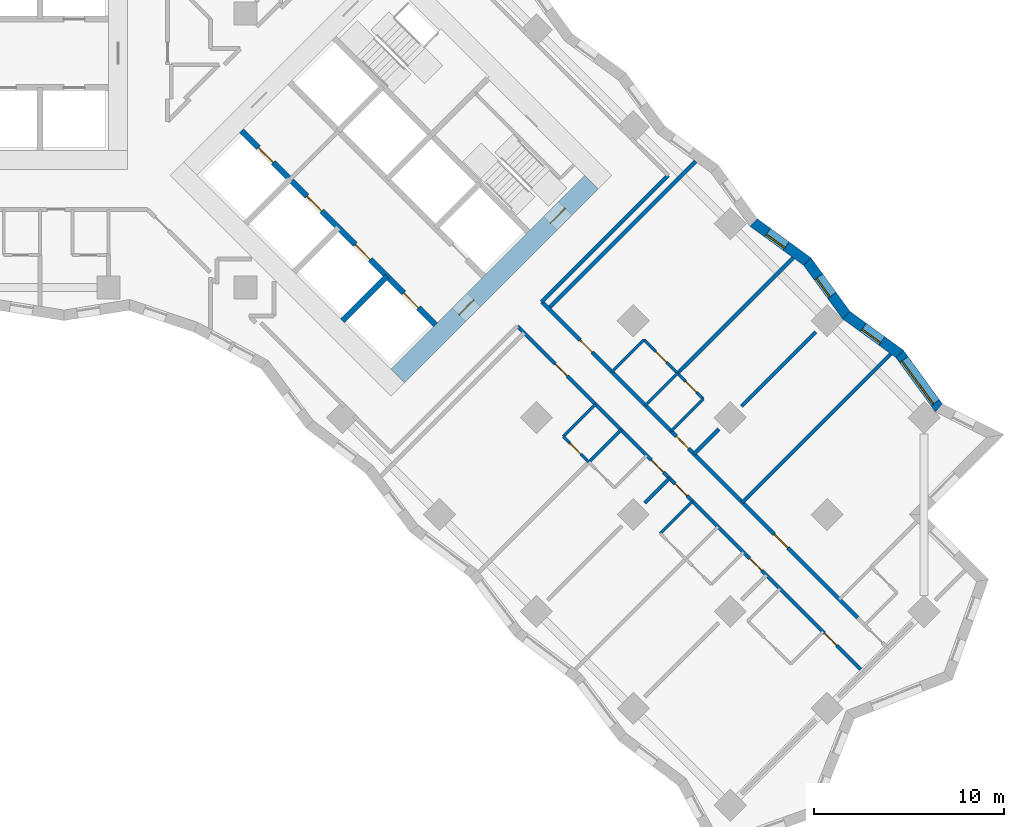
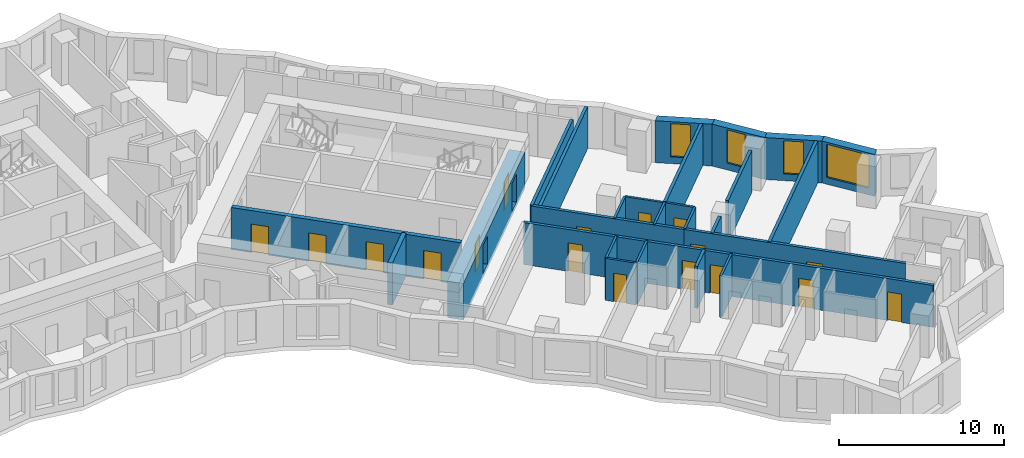
# One storey, part 8 of 12: 25 walls, 17 doors, 4 windows, 21 openings.
"""IFC4 building model written with IfcOpenShell, lengths in metres."""

from ifc_helpers import new_model, si_unit, direction, frame, frame_2d, origin, place, context, subcontext, project, spatial, polyline, rectangle, outline, extrude, material, layer, layer_set, type_object, element, fill, save


model = new_model("IFC4")

# Units and contexts
model_context = context("Model", 3, precision=1e-05, world=origin(), true_north=direction((0.0, 1.0)))
body_context = subcontext(model_context, "Body", "Model", "MODEL_VIEW")
ifc_project = project(units=[si_unit("LENGTHUNIT", "METRE"), si_unit("AREAUNIT", "SQUARE_METRE"), si_unit("VOLUMEUNIT", "CUBIC_METRE"), si_unit("PLANEANGLEUNIT", "RADIAN"), si_unit("MASSUNIT", "GRAM", prefix="KILO")], contexts=[model_context])

# Site, building, storey
site_placement = place(None, origin())
site = spatial("IfcSite", under=ifc_project, at=site_placement, CompositionType="ELEMENT")
building_placement = place(site_placement, origin())
building = spatial("IfcBuilding", under=site, at=building_placement, Name="Windrow Commons", CompositionType="ELEMENT")
storey_placement = place(building_placement, frame((0.0, 0.0, 54.2)))
storey = spatial("IfcBuildingStorey", under=building, at=storey_placement, Name="L14", CompositionType="ELEMENT", Elevation=54.2)

# Wall, opening, window
ifc_material_1 = material(Name="Brick masonry, red clay brick", Category="masonry")
ifc_layer_1 = layer(ifc_material_1, 0.55)
ifc_layer_set_1 = layer_set([ifc_layer_1], Name="Brick facade wall 550")
wall_type_1 = type_object("IfcWallType", Name="Brick facade wall 550", PredefinedType="SOLIDWALL", material=ifc_layer_set_1)
wall_1_placement = place(storey_placement, frame((115.6199, 36.8783, 0.0), z_axis=(0.0, 0.0, 1.0), x_axis=(-0.5882752751, 0.8086607451, 0.0)))
wall_1 = element("IfcWall", 1, at=wall_1_placement, inside=storey, type_object=wall_type_1, Name="Brick facade wall L14 8", PredefinedType="SOLIDWALL", context=body_context, shape_type="SweptSolid", body=[
    extrude(outline(polyline([(0.0669, -0.275), (3.545, -0.275), (3.4583, 0.275), (-0.0669, 0.275), (0.0669, -0.275)])), origin(), (0.0, 0.0, 1.0), 3.1),
])
opening_1_placement = place(wall_1_placement, frame((0.3291, 0.0, 0.5)))
opening_1 = element("IfcOpeningElement", 2, at=opening_1_placement, cuts=wall_1, Name="Opening W1T", PredefinedType="OPENING", context=body_context, shape_type="SweptSolid", body=[
    extrude(rectangle(XDim=2.8, YDim=2.45, at=frame_2d((1.4, 1.225))), frame((0.0, 0.285, 0.0), z_axis=(0.0, -1.0, 0.0), x_axis=(1.0, 0.0, 0.0)), (0.0, 0.0, 1.0), 0.57),
])
ifc_material_2 = material(Name="Clear float glass in anodised aluminium frame", Category="aluminium")
window_type_1 = type_object("IfcWindowType", Name="Window W1T bedroom 2800x2450", PartitioningType="SINGLE_PANEL", PredefinedType="WINDOW", material=ifc_material_2)
window_1_placement = place(opening_1_placement, origin())
window_1 = element("IfcWindow", 3, at=window_1_placement, inside=storey, type_object=window_type_1, Name="Window L14 8.1", OverallHeight=2.45, OverallWidth=2.8, PartitioningType="SINGLE_PANEL", PredefinedType="WINDOW", context=body_context, shape_type="SweptSolid", body=[
    extrude(rectangle(XDim=2.8, YDim=2.45, at=frame_2d((1.4, 1.225))), frame((0.0, 0.155, 0.0), z_axis=(0.0, -1.0, 0.0), x_axis=(1.0, 0.0, 0.0)), (0.0, 0.0, 1.0), 0.06),
])
fill(opening_1, window_1)

wall_2_placement = place(storey_placement, frame((113.56, 39.7099, 0.0), z_axis=(0.0, 0.0, 1.0), x_axis=(-0.8086577494, 0.5882793931, 0.0)))
wall_2 = element("IfcWall", 4, at=wall_2_placement, inside=storey, type_object=wall_type_1, Name="Brick facade wall L14 9", PredefinedType="SOLIDWALL", context=body_context, shape_type="SweptSolid", body=[
    extrude(outline(polyline([(-0.0434, -0.275), (3.4347, -0.275), (3.5215, 0.275), (0.0434, 0.275), (-0.0434, -0.275)])), origin(), (0.0, 0.0, 1.0), 3.1),
])
opening_2_placement = place(wall_2_placement, frame((1.1607, 0.0, 0.5)))
opening_2 = element("IfcOpeningElement", 5, at=opening_2_placement, cuts=wall_2, Name="Opening W7D", PredefinedType="OPENING", context=body_context, shape_type="SweptSolid", body=[
    extrude(rectangle(XDim=1.2, YDim=2.45, at=frame_2d((0.6, 1.225))), frame((0.0, 0.285, 0.0), z_axis=(0.0, -1.0, 0.0), x_axis=(1.0, 0.0, 0.0)), (0.0, 0.0, 1.0), 0.57),
])
ifc_material_3 = material(Name="Clear float glass in anodised aluminium frame", Category="aluminium")
window_type_2 = type_object("IfcWindowType", Name="Window W7 notch 1200x2450", PartitioningType="SINGLE_PANEL", PredefinedType="WINDOW", material=ifc_material_3)
window_2_placement = place(opening_2_placement, origin())
window_2 = element("IfcWindow", 6, at=window_2_placement, inside=storey, type_object=window_type_2, Name="Window L14 9.1", OverallHeight=2.45, OverallWidth=1.2, PartitioningType="SINGLE_PANEL", PredefinedType="WINDOW", context=body_context, shape_type="SweptSolid", body=[
    extrude(rectangle(XDim=1.2, YDim=2.45, at=frame_2d((0.6, 1.225))), frame((0.0, 0.155, 0.0), z_axis=(0.0, -1.0, 0.0), x_axis=(1.0, 0.0, 0.0)), (0.0, 0.0, 1.0), 0.06),
])
fill(opening_2, window_2)

wall_3_placement = place(storey_placement, frame((110.7474, 41.756, 0.0), z_axis=(0.0, 0.0, 1.0), x_axis=(-0.5882793931, 0.8086577494, 0.0)))
wall_3 = element("IfcWall", 7, at=wall_3_placement, inside=storey, type_object=wall_type_1, Name="Brick facade wall L14 10", PredefinedType="SOLIDWALL", context=body_context, shape_type="SweptSolid", body=[
    extrude(outline(polyline([(0.0434, -0.275), (3.5215, -0.275), (3.4347, 0.275), (-0.0434, 0.275), (0.0434, -0.275)])), origin(), (0.0, 0.0, 1.0), 3.1),
])
opening_3_placement = place(wall_3_placement, frame((1.267, 0.0, 0.5)))
opening_3 = element("IfcOpeningElement", 8, at=opening_3_placement, cuts=wall_3, Name="Opening W7D", PredefinedType="OPENING", context=body_context, shape_type="SweptSolid", body=[
    extrude(rectangle(XDim=1.2, YDim=2.45, at=frame_2d((0.6, 1.225))), frame((0.0, 0.285, 0.0), z_axis=(0.0, -1.0, 0.0), x_axis=(1.0, 0.0, 0.0)), (0.0, 0.0, 1.0), 0.57),
])
window_3_placement = place(opening_3_placement, origin())
window_3 = element("IfcWindow", 9, at=window_3_placement, inside=storey, type_object=window_type_2, Name="Window L14 10.1", OverallHeight=2.45, OverallWidth=1.2, PartitioningType="SINGLE_PANEL", PredefinedType="WINDOW", context=body_context, shape_type="SweptSolid", body=[
    extrude(rectangle(XDim=1.2, YDim=2.45, at=frame_2d((0.6, 1.225))), frame((0.0, 0.155, 0.0), z_axis=(0.0, -1.0, 0.0), x_axis=(1.0, 0.0, 0.0)), (0.0, 0.0, 1.0), 0.06),
])
fill(opening_3, window_3)

wall_4_placement = place(storey_placement, frame((108.7013, 44.5686, 0.0), z_axis=(0.0, 0.0, 1.0), x_axis=(-0.8086577494, 0.5882793931, 0.0)))
wall_4 = element("IfcWall", 10, at=wall_4_placement, inside=storey, type_object=wall_type_1, Name="Brick facade wall L14 11", PredefinedType="SOLIDWALL", context=body_context, shape_type="SweptSolid", body=[
    extrude(outline(polyline([(-0.0434, -0.275), (3.4347, -0.275), (3.5215, 0.275), (0.0434, 0.275), (-0.0434, -0.275)])), origin(), (0.0, 0.0, 1.0), 3.1),
])
opening_4_placement = place(wall_4_placement, frame((1.3719, 0.0, 0.5)))
opening_4 = element("IfcOpeningElement", 11, at=opening_4_placement, cuts=wall_4, Name="Opening W7D", PredefinedType="OPENING", context=body_context, shape_type="SweptSolid", body=[
    extrude(rectangle(XDim=1.2, YDim=2.45, at=frame_2d((0.6, 1.225))), frame((0.0, 0.285, 0.0), z_axis=(0.0, -1.0, 0.0), x_axis=(1.0, 0.0, 0.0)), (0.0, 0.0, 1.0), 0.57),
])
window_4_placement = place(opening_4_placement, origin())
window_4 = element("IfcWindow", 12, at=window_4_placement, inside=storey, type_object=window_type_2, Name="Window L14 11.1", OverallHeight=2.45, OverallWidth=1.2, PartitioningType="SINGLE_PANEL", PredefinedType="WINDOW", context=body_context, shape_type="SweptSolid", body=[
    extrude(rectangle(XDim=1.2, YDim=2.45, at=frame_2d((0.6, 1.225))), frame((0.0, 0.155, 0.0), z_axis=(0.0, -1.0, 0.0), x_axis=(1.0, 0.0, 0.0)), (0.0, 0.0, 1.0), 0.06),
])
fill(opening_4, window_4)

# Wall, openings, doors
ifc_material_4 = material(Name="Blockwork partition", Category="masonry")
ifc_layer_2 = layer(ifc_material_4, 0.2)
ifc_layer_set_2 = layer_set([ifc_layer_2], Name="IW-CORRIDOR-200")
wall_type_2 = type_object("IfcWallType", Name="IW-CORRIDOR-200", PredefinedType="PARTITIONING", material=ifc_layer_set_2)
wall_5_placement = place(storey_placement, frame((93.4806, 41.1666, 0.0), z_axis=(0.0, 0.0, 1.0), x_axis=(0.7071067812, -0.7071067812, 0.0)))
wall_5 = element("IfcWall", 13, at=wall_5_placement, inside=storey, type_object=wall_type_2, Name="W-L14-W000", PredefinedType="PARTITIONING", context=body_context, shape_type="SweptSolid", body=[
    extrude(rectangle(XDim=25.6991, YDim=0.2, at=frame_2d((12.8496, 0.0))), origin(), (0.0, 0.0, 1.0), 3.1),
])
opening_5_placement = place(wall_5_placement, frame((2.8001, 0.0, 0.0)))
opening_5 = element("IfcOpeningElement", 14, at=opening_5_placement, cuts=wall_5, Name="Opening D109F", PredefinedType="OPENING", context=body_context, shape_type="SweptSolid", body=[
    extrude(rectangle(XDim=0.9, YDim=2.1, at=frame_2d((0.45, 1.05))), frame((0.0, 0.11, 0.0), z_axis=(0.0, -1.0, 0.0), x_axis=(1.0, 0.0, 0.0)), (0.0, 0.0, 1.0), 0.22),
])
opening_6_placement = place(wall_5_placement, frame((9.948, 0.0, 0.0)))
opening_6 = element("IfcOpeningElement", 15, at=opening_6_placement, cuts=wall_5, Name="Opening D109S", PredefinedType="OPENING", context=body_context, shape_type="SweptSolid", body=[
    extrude(rectangle(XDim=0.9, YDim=2.1, at=frame_2d((0.45, 1.05))), frame((0.0, 0.11, 0.0), z_axis=(0.0, -1.0, 0.0), x_axis=(1.0, 0.0, 0.0)), (0.0, 0.0, 1.0), 0.22),
])
opening_7_placement = place(wall_5_placement, frame((11.6996, 0.0, 0.0)))
opening_7 = element("IfcOpeningElement", 16, at=opening_7_placement, cuts=wall_5, Name="Opening D109S", PredefinedType="OPENING", context=body_context, shape_type="SweptSolid", body=[
    extrude(rectangle(XDim=0.9, YDim=2.1, at=frame_2d((0.45, 1.05))), frame((0.0, 0.11, 0.0), z_axis=(0.0, -1.0, 0.0), x_axis=(1.0, 0.0, 0.0)), (0.0, 0.0, 1.0), 0.22),
])
opening_8_placement = place(wall_5_placement, frame((17.2496, 0.0, 0.0)))
opening_8 = element("IfcOpeningElement", 17, at=opening_8_placement, cuts=wall_5, Name="Opening D109S", PredefinedType="OPENING", context=body_context, shape_type="SweptSolid", body=[
    extrude(rectangle(XDim=0.9, YDim=2.1, at=frame_2d((0.45, 1.05))), frame((0.0, 0.11, 0.0), z_axis=(0.0, -1.0, 0.0), x_axis=(1.0, 0.0, 0.0)), (0.0, 0.0, 1.0), 0.22),
])
opening_9_placement = place(wall_5_placement, frame((22.8196, 0.0, 0.0)))
opening_9 = element("IfcOpeningElement", 18, at=opening_9_placement, cuts=wall_5, Name="Opening D109F", PredefinedType="OPENING", context=body_context, shape_type="SweptSolid", body=[
    extrude(rectangle(XDim=0.9, YDim=2.1, at=frame_2d((0.45, 1.05))), frame((0.0, 0.11, 0.0), z_axis=(0.0, -1.0, 0.0), x_axis=(1.0, 0.0, 0.0)), (0.0, 0.0, 1.0), 0.22),
])
ifc_material_5 = material(Name="Timber door leaf", Category="wood")
door_type_1 = type_object("IfcDoorType", Name="DT-BEDROOM-900", OperationType="SINGLE_SWING_LEFT", PredefinedType="DOOR", material=ifc_material_5)
door_1_placement = place(opening_5_placement, origin())
door_1 = element("IfcDoor", 19, at=door_1_placement, inside=storey, type_object=door_type_1, Name="D-L14-D038", OperationType="SINGLE_SWING_LEFT", OverallHeight=2.1, OverallWidth=0.9, PredefinedType="DOOR", context=body_context, shape_type="SweptSolid", body=[
    extrude(rectangle(XDim=0.9, YDim=2.1, at=frame_2d((0.45, 1.05))), frame((0.0, 0.025, 0.0), z_axis=(0.0, -1.0, 0.0), x_axis=(1.0, 0.0, 0.0)), (0.0, 0.0, 1.0), 0.05),
])
fill(opening_5, door_1)
door_2_placement = place(opening_6_placement, origin())
door_2 = element("IfcDoor", 20, at=door_2_placement, inside=storey, type_object=door_type_1, Name="D-L14-D040", OperationType="SINGLE_SWING_LEFT", OverallHeight=2.1, OverallWidth=0.9, PredefinedType="DOOR", context=body_context, shape_type="SweptSolid", body=[
    extrude(rectangle(XDim=0.9, YDim=2.1, at=frame_2d((0.45, 1.05))), frame((0.0, 0.025, 0.0), z_axis=(0.0, -1.0, 0.0), x_axis=(1.0, 0.0, 0.0)), (0.0, 0.0, 1.0), 0.05),
])
fill(opening_6, door_2)
door_3_placement = place(opening_7_placement, origin())
door_3 = element("IfcDoor", 21, at=door_3_placement, inside=storey, type_object=door_type_1, Name="D-L14-D042", OperationType="SINGLE_SWING_RIGHT", OverallHeight=2.1, OverallWidth=0.9, PredefinedType="DOOR", context=body_context, shape_type="SweptSolid", body=[
    extrude(rectangle(XDim=0.9, YDim=2.1, at=frame_2d((0.45, 1.05))), frame((0.0, 0.025, 0.0), z_axis=(0.0, -1.0, 0.0), x_axis=(1.0, 0.0, 0.0)), (0.0, 0.0, 1.0), 0.05),
])
fill(opening_7, door_3)
door_4_placement = place(opening_8_placement, origin())
door_4 = element("IfcDoor", 22, at=door_4_placement, inside=storey, type_object=door_type_1, Name="D-L14-D044", OperationType="SINGLE_SWING_LEFT", OverallHeight=2.1, OverallWidth=0.9, PredefinedType="DOOR", context=body_context, shape_type="SweptSolid", body=[
    extrude(rectangle(XDim=0.9, YDim=2.1, at=frame_2d((0.45, 1.05))), frame((0.0, 0.025, 0.0), z_axis=(0.0, -1.0, 0.0), x_axis=(1.0, 0.0, 0.0)), (0.0, 0.0, 1.0), 0.05),
])
fill(opening_8, door_4)
door_5_placement = place(opening_9_placement, origin())
door_5 = element("IfcDoor", 23, at=door_5_placement, inside=storey, type_object=door_type_1, Name="D-L14-D046", OperationType="SINGLE_SWING_RIGHT", OverallHeight=2.1, OverallWidth=0.9, PredefinedType="DOOR", context=body_context, shape_type="SweptSolid", body=[
    extrude(rectangle(XDim=0.9, YDim=2.1, at=frame_2d((0.45, 1.05))), frame((0.0, 0.025, 0.0), z_axis=(0.0, -1.0, 0.0), x_axis=(1.0, 0.0, 0.0)), (0.0, 0.0, 1.0), 0.05),
])
fill(opening_9, door_5)

wall_6_placement = place(storey_placement, frame((111.3515, 25.8555, 0.0), z_axis=(0.0, 0.0, 1.0), x_axis=(-0.7070418597, 0.7071716967, 0.0)))
wall_6 = element("IfcWall", 24, at=wall_6_placement, inside=storey, type_object=wall_type_2, Name="W-L14-W005", PredefinedType="PARTITIONING", context=body_context, shape_type="SweptSolid", body=[
    extrude(rectangle(XDim=13.8635, YDim=0.2, at=frame_2d((6.9318, 0.0))), origin(), (0.0, 0.0, 1.0), 3.1),
])
opening_10_placement = place(wall_6_placement, frame((12.5636, 0.0, 0.0)))
opening_10 = element("IfcOpeningElement", 25, at=opening_10_placement, cuts=wall_6, Name="Opening D109S", PredefinedType="OPENING", context=body_context, shape_type="SweptSolid", body=[
    extrude(rectangle(XDim=0.9, YDim=2.1, at=frame_2d((0.45, 1.05))), frame((0.0, 0.11, 0.0), z_axis=(0.0, -1.0, 0.0), x_axis=(1.0, 0.0, 0.0)), (0.0, 0.0, 1.0), 0.22),
])
opening_11_placement = place(wall_6_placement, frame((5.1899, 0.0, 0.0)))
opening_11 = element("IfcOpeningElement", 26, at=opening_11_placement, cuts=wall_6, Name="Opening D310F", PredefinedType="OPENING", context=body_context, shape_type="SweptSolid", body=[
    extrude(rectangle(XDim=1.0, YDim=2.1, at=frame_2d((0.5, 1.05))), frame((0.0, 0.11, 0.0), z_axis=(0.0, -1.0, 0.0), x_axis=(1.0, 0.0, 0.0)), (0.0, 0.0, 1.0), 0.22),
])
ifc_material_6 = material(Name="Timber door leaf", Category="wood")
door_type_2 = type_object("IfcDoorType", Name="DT-AMENITY-1000", OperationType="SINGLE_SWING_LEFT", PredefinedType="DOOR", material=ifc_material_6)
door_6_placement = place(opening_11_placement, origin())
door_6 = element("IfcDoor", 27, at=door_6_placement, inside=storey, type_object=door_type_2, Name="D-L14-D037", OperationType="SINGLE_SWING_RIGHT", OverallHeight=2.1, OverallWidth=1.0, PredefinedType="DOOR", context=body_context, shape_type="SweptSolid", body=[
    extrude(rectangle(XDim=1.0, YDim=2.1, at=frame_2d((0.5, 1.05))), frame((0.0, 0.025, 0.0), z_axis=(0.0, -1.0, 0.0), x_axis=(1.0, 0.0, 0.0)), (0.0, 0.0, 1.0), 0.05),
])
fill(opening_11, door_6)
door_7_placement = place(opening_10_placement, origin())
door_7 = element("IfcDoor", 28, at=door_7_placement, inside=storey, type_object=door_type_1, Name="D-L14-D035", OperationType="SINGLE_SWING_RIGHT", OverallHeight=2.1, OverallWidth=0.9, PredefinedType="DOOR", context=body_context, shape_type="SweptSolid", body=[
    extrude(rectangle(XDim=0.9, YDim=2.1, at=frame_2d((0.45, 1.05))), frame((0.0, 0.025, 0.0), z_axis=(0.0, -1.0, 0.0), x_axis=(1.0, 0.0, 0.0)), (0.0, 0.0, 1.0), 0.05),
])
fill(opening_10, door_7)

# Wall, opening, door
wall_7_placement = place(storey_placement, frame((94.7615, 42.4455, 0.0), z_axis=(0.0, 0.0, 1.0), x_axis=(0.7071067812, -0.7071067812, 0.0)))
wall_7 = element("IfcWall", 29, at=wall_7_placement, inside=storey, type_object=wall_type_2, Name="W-L14-W012", PredefinedType="PARTITIONING", context=body_context, shape_type="SweptSolid", body=[
    extrude(rectangle(XDim=9.5969, YDim=0.2, at=frame_2d((4.7984, 0.0))), origin(), (0.0, 0.0, 1.0), 3.1),
])
opening_12_placement = place(wall_7_placement, frame((2.8511, 0.0, 0.0)))
opening_12 = element("IfcOpeningElement", 30, at=opening_12_placement, cuts=wall_7, Name="Opening D109F", PredefinedType="OPENING", context=body_context, shape_type="SweptSolid", body=[
    extrude(rectangle(XDim=0.9, YDim=2.1, at=frame_2d((0.45, 1.05))), frame((0.0, 0.11, 0.0), z_axis=(0.0, -1.0, 0.0), x_axis=(1.0, 0.0, 0.0)), (0.0, 0.0, 1.0), 0.22),
])
door_8_placement = place(opening_12_placement, origin())
door_8 = element("IfcDoor", 31, at=door_8_placement, inside=storey, type_object=door_type_1, Name="D-L14-D033", OperationType="SINGLE_SWING_RIGHT", OverallHeight=2.1, OverallWidth=0.9, PredefinedType="DOOR", context=body_context, shape_type="SweptSolid", body=[
    extrude(rectangle(XDim=0.9, YDim=2.1, at=frame_2d((0.45, 1.05))), frame((0.0, 0.025, 0.0), z_axis=(0.0, -1.0, 0.0), x_axis=(1.0, 0.0, 0.0)), (0.0, 0.0, 1.0), 0.05),
])
fill(opening_12, door_8)

# Wall
wall_8_placement = place(storey_placement, frame((94.7569, 42.4451, 0.0), z_axis=(0.0, 0.0, 1.0), x_axis=(0.7071067812, 0.7071067812, 0.0)))
element("IfcWall", 32, at=wall_8_placement, inside=storey, type_object=wall_type_2, Name="W-L14-W014", PredefinedType="PARTITIONING", context=body_context, shape_type="SweptSolid", body=[
    extrude(rectangle(XDim=9.3989, YDim=0.2, at=frame_2d((4.6994, 0.0))), origin(), (0.0, 0.0, 1.0), 3.1),
])

# Wall, openings, doors
ifc_material_7 = material(Name="Blockwork partition", Category="masonry")
ifc_layer_3 = layer(ifc_material_7, 0.15)
ifc_layer_set_3 = layer_set([ifc_layer_3], Name="IW-ENSUITE-150")
wall_type_3 = type_object("IfcWallType", Name="IW-ENSUITE-150", PredefinedType="PARTITIONING", material=ifc_layer_set_3)
wall_9_placement = place(storey_placement, frame((100.1265, 40.4605, 0.0), z_axis=(0.0, 0.0, 1.0), x_axis=(0.7071067812, -0.7071067812, 0.0)))
wall_9 = element("IfcWall", 33, at=wall_9_placement, inside=storey, type_object=wall_type_3, Name="W-L14-W047", PredefinedType="PARTITIONING", context=body_context, shape_type="SweptSolid", body=[
    extrude(rectangle(XDim=4.401, YDim=0.15, at=frame_2d((2.2005, 0.0))), origin(), (0.0, 0.0, 1.0), 3.1),
])
opening_13_placement = place(wall_9_placement, frame((0.883, 0.0, 0.0)))
opening_13 = element("IfcOpeningElement", 34, at=opening_13_placement, cuts=wall_9, Name="Opening D208N", PredefinedType="OPENING", context=body_context, shape_type="SweptSolid", body=[
    extrude(rectangle(XDim=0.8, YDim=2.1, at=frame_2d((0.4, 1.05))), frame((0.0, 0.085, 0.0), z_axis=(0.0, -1.0, 0.0), x_axis=(1.0, 0.0, 0.0)), (0.0, 0.0, 1.0), 0.17),
])
opening_14_placement = place(wall_9_placement, frame((3.1078, 0.0, 0.0)))
opening_14 = element("IfcOpeningElement", 35, at=opening_14_placement, cuts=wall_9, Name="Opening D208N", PredefinedType="OPENING", context=body_context, shape_type="SweptSolid", body=[
    extrude(rectangle(XDim=0.8, YDim=2.1, at=frame_2d((0.4, 1.05))), frame((0.0, 0.085, 0.0), z_axis=(0.0, -1.0, 0.0), x_axis=(1.0, 0.0, 0.0)), (0.0, 0.0, 1.0), 0.17),
])
ifc_material_8 = material(Name="Timber door leaf", Category="wood")
door_type_3 = type_object("IfcDoorType", Name="DT-ENSUITE-800", OperationType="SINGLE_SWING_LEFT", PredefinedType="DOOR", material=ifc_material_8)
door_9_placement = place(opening_13_placement, origin())
door_9 = element("IfcDoor", 36, at=door_9_placement, inside=storey, type_object=door_type_3, Name="D-L14-D034", OperationType="SINGLE_SWING_RIGHT", OverallHeight=2.1, OverallWidth=0.8, PredefinedType="DOOR", context=body_context, shape_type="SweptSolid", body=[
    extrude(rectangle(XDim=0.8, YDim=2.1, at=frame_2d((0.4, 1.05))), frame((0.0, 0.025, 0.0), z_axis=(0.0, -1.0, 0.0), x_axis=(1.0, 0.0, 0.0)), (0.0, 0.0, 1.0), 0.05),
])
fill(opening_13, door_9)
door_10_placement = place(opening_14_placement, origin())
door_10 = element("IfcDoor", 37, at=door_10_placement, inside=storey, type_object=door_type_3, Name="D-L14-D036", OperationType="SINGLE_SWING_RIGHT", OverallHeight=2.1, OverallWidth=0.8, PredefinedType="DOOR", context=body_context, shape_type="SweptSolid", body=[
    extrude(rectangle(XDim=0.8, YDim=2.1, at=frame_2d((0.4, 1.05))), frame((0.0, 0.025, 0.0), z_axis=(0.0, -1.0, 0.0), x_axis=(1.0, 0.0, 0.0)), (0.0, 0.0, 1.0), 0.05),
])
fill(opening_14, door_10)

# Walls
wall_10_placement = place(storey_placement, frame((100.9773, 30.2807, 0.0), z_axis=(0.0, 0.0, 1.0), x_axis=(0.7071067812, 0.7071067812, 0.0)))
element("IfcWall", 38, at=wall_10_placement, inside=storey, type_object=wall_type_3, Name="W-L14-W065", PredefinedType="PARTITIONING", context=body_context, shape_type="SweptSolid", body=[
    extrude(rectangle(XDim=2.4013, YDim=0.15, at=frame_2d((1.2006, 0.0))), origin(), (0.0, 0.0, 1.0), 3.1),
])
for number, where, z_axis, x_axis, name in (
    (39, (97.2344, 34.0256, 0.0), (0.0, 0.0, 1.0), (0.706689978, 0.7075233388, 0.0), "W-L14-W085"),
    (40, (98.4348, 38.7652, 0.0), (0.0, 0.0, 1.0), (0.706689978, 0.7075233388, 0.0), "W-L14-W086"),
    (41, (100.2026, 36.9974, 0.0), (0.0, 0.0, 1.0), (0.706689978, 0.7075233388, 0.0), "W-L14-W087"),
):
    element("IfcWall", number, at=place(storey_placement, frame(where, z_axis=z_axis, x_axis=x_axis)), inside=storey, type_object=wall_type_3, Name=name, PredefinedType="PARTITIONING", context=body_context, shape_type="SweptSolid", body=[
        extrude(rectangle(XDim=2.3999, YDim=0.15, at=frame_2d((1.2, 0.0))), origin(), (0.0, 0.0, 1.0), 3.1),
    ])
for number, where, z_axis, x_axis, name in (
    (42, (95.8871, 35.3729, 0.0), (0.0, 0.0, 1.0), (0.7071067812, 0.7071067812, 0.0), "W-L14-W089"),
    (43, (101.5451, 35.6569, 0.0), (0.0, 0.0, 1.0), (0.7071067812, 0.7071067812, 0.0), "W-L14-W090"),
):
    element("IfcWall", number, at=place(storey_placement, frame(where, z_axis=z_axis, x_axis=x_axis)), inside=storey, type_object=wall_type_3, Name=name, PredefinedType="PARTITIONING", context=body_context, shape_type="SweptSolid", body=[
        extrude(rectangle(XDim=2.3985, YDim=0.15, at=frame_2d((1.1992, 0.0))), origin(), (0.0, 0.0, 1.0), 3.1),
    ])

# Wall, opening, door
wall_11_placement = place(storey_placement, frame((95.8846, 35.3686, 0.0), z_axis=(0.0, 0.0, 1.0), x_axis=(0.7071067812, -0.7071067812, 0.0)))
wall_11 = element("IfcWall", 44, at=wall_11_placement, inside=storey, type_object=wall_type_3, Name="W-L14-W107", PredefinedType="PARTITIONING", context=body_context, shape_type="SweptSolid", body=[
    extrude(rectangle(XDim=1.9007, YDim=0.15, at=frame_2d((0.9504, 0.0))), origin(), (0.0, 0.0, 1.0), 3.1),
])
opening_15_placement = place(wall_11_placement, frame((0.493, 0.0, 0.0)))
opening_15 = element("IfcOpeningElement", 45, at=opening_15_placement, cuts=wall_11, Name="Opening D208N", PredefinedType="OPENING", context=body_context, shape_type="SweptSolid", body=[
    extrude(rectangle(XDim=0.8, YDim=2.1, at=frame_2d((0.4, 1.05))), frame((0.0, 0.085, 0.0), z_axis=(0.0, -1.0, 0.0), x_axis=(1.0, 0.0, 0.0)), (0.0, 0.0, 1.0), 0.17),
])
door_11_placement = place(opening_15_placement, origin())
door_11 = element("IfcDoor", 46, at=door_11_placement, inside=storey, type_object=door_type_3, Name="D-L14-D039", OperationType="SINGLE_SWING_RIGHT", OverallHeight=2.1, OverallWidth=0.8, PredefinedType="DOOR", context=body_context, shape_type="SweptSolid", body=[
    extrude(rectangle(XDim=0.8, YDim=2.1, at=frame_2d((0.4, 1.05))), frame((0.0, 0.025, 0.0), z_axis=(0.0, -1.0, 0.0), x_axis=(1.0, 0.0, 0.0)), (0.0, 0.0, 1.0), 0.05),
])
fill(opening_15, door_11)

# Walls
ifc_material_9 = material(Name="Blockwork partition", Category="masonry")
ifc_layer_4 = layer(ifc_material_9, 0.2)
ifc_layer_set_4 = layer_set([ifc_layer_4], Name="IW-PARTY-200")
wall_type_4 = type_object("IfcWallType", Name="IW-PARTY-200", PredefinedType="PARTITIONING", material=ifc_layer_set_4)
wall_12_placement = place(storey_placement, frame((105.2918, 31.9082, 0.0), z_axis=(0.0, 0.0, 1.0), x_axis=(0.7071067812, 0.7071067812, 0.0)))
element("IfcWall", 47, at=wall_12_placement, inside=storey, type_object=wall_type_4, Name="W-L14-W007", PredefinedType="PARTITIONING", context=body_context, shape_type="SweptSolid", body=[
    extrude(rectangle(XDim=11.0327, YDim=0.2, at=frame_2d((5.5164, 0.0))), origin(), (0.0, 0.0, 1.0), 3.1),
])
wall_13_placement = place(storey_placement, frame((95.1094, 42.0906, 0.0), z_axis=(0.0, 0.0, 1.0), x_axis=(0.7071113562, 0.7071022062, 0.0)))
element("IfcWall", 48, at=wall_13_placement, inside=storey, type_object=wall_type_4, Name="W-L14-W008", PredefinedType="PARTITIONING", context=body_context, shape_type="SweptSolid", body=[
    extrude(rectangle(XDim=10.929, YDim=0.2, at=frame_2d((5.4645, 0.0))), origin(), (0.0, 0.0, 1.0), 3.1),
])
wall_14_placement = place(storey_placement, frame((101.8958, 38.6982, 0.0), z_axis=(0.0, 0.0, 1.0), x_axis=(0.7072233116, 0.7069902315, 0.0)))
element("IfcWall", 49, at=wall_14_placement, inside=storey, type_object=wall_type_4, Name="W-L14-W015", PredefinedType="PARTITIONING", context=body_context, shape_type="SweptSolid", body=[
    extrude(rectangle(XDim=8.5807, YDim=0.2, at=frame_2d((4.2904, 0.0))), origin(), (0.0, 0.0, 1.0), 3.1),
])
wall_15_placement = place(storey_placement, frame((105.2552, 36.9628, 0.0), z_axis=(0.0, 0.0, 1.0), x_axis=(0.7071067812, 0.7071067812, 0.0)))
element("IfcWall", 50, at=wall_15_placement, inside=storey, type_object=wall_type_4, Name="W-L14-W037", PredefinedType="PARTITIONING", context=body_context, shape_type="SweptSolid", body=[
    extrude(rectangle(XDim=5.5041, YDim=0.2, at=frame_2d((2.7521, 0.0))), origin(), (0.0, 0.0, 1.0), 3.1),
])
wall_16_placement = place(storey_placement, frame((100.1632, 31.8708, 0.0), z_axis=(0.0, 0.0, 1.0), x_axis=(0.7071067812, 0.7071067812, 0.0)))
element("IfcWall", 51, at=wall_16_placement, inside=storey, type_object=wall_type_4, Name="W-L14-W121", PredefinedType="PARTITIONING", context=body_context, shape_type="SweptSolid", body=[
    extrude(rectangle(XDim=1.8526, YDim=0.2, at=frame_2d((0.9263, 0.0))), origin(), (0.0, 0.0, 1.0), 3.1),
])
wall_17_placement = place(storey_placement, frame((102.7504, 34.4496, 0.0), z_axis=(0.0, 0.0, 1.0), x_axis=(0.7065663865, 0.7076467632, 0.0)))
element("IfcWall", 52, at=wall_17_placement, inside=storey, type_object=wall_type_4, Name="W-L14-W124", PredefinedType="PARTITIONING", context=body_context, shape_type="SweptSolid", body=[
    extrude(rectangle(XDim=1.8512, YDim=0.2, at=frame_2d((0.9256, 0.0))), origin(), (0.0, 0.0, 1.0), 3.1),
])

# Wall, openings, doors
ifc_material_10 = material(Name="Concrete C60/75", Category="concrete")
ifc_layer_5 = layer(ifc_material_10, 1.0)
ifc_layer_set_5 = layer_set([ifc_layer_5], Name="RC CORE WALL 1000 C60/75")
wall_type_5 = type_object("IfcWallType", Name="RC CORE WALL 1000 C60/75", PredefinedType="SHEAR", material=ifc_layer_set_5)
wall_18_placement = place(storey_placement, frame((87.1903, 38.5538, -0.3), z_axis=(0.0, 0.0, 1.0), x_axis=(0.707103309, 0.7071102534, 0.0)))
wall_18 = element("IfcWall", 53, at=wall_18_placement, inside=storey, type_object=wall_type_5, Name="Core B wall outer-E", PredefinedType="SHEAR", context=body_context, shape_type="SweptSolid", body=[
    extrude(rectangle(XDim=14.4, YDim=1.0, at=frame_2d((7.2, 0.0))), origin(), (0.0, 0.0, 1.0), 2.7),
])
opening_16_placement = place(wall_18_placement, frame((4.55, 0.0, 0.3)))
opening_16 = element("IfcOpeningElement", 54, at=opening_16_placement, cuts=wall_18, Name="Opening D6", PredefinedType="OPENING", context=body_context, shape_type="SweptSolid", body=[
    extrude(rectangle(XDim=1.1, YDim=2.1, at=frame_2d((0.55, 1.05))), frame((0.0, 0.51, 0.0), z_axis=(0.0, -1.0, 0.0), x_axis=(1.0, 0.0, 0.0)), (0.0, 0.0, 1.0), 1.02),
])
opening_17_placement = place(wall_18_placement, frame((11.35, 0.0, 0.3)))
opening_17 = element("IfcOpeningElement", 55, at=opening_17_placement, cuts=wall_18, Name="Opening D7", PredefinedType="OPENING", context=body_context, shape_type="SweptSolid", body=[
    extrude(rectangle(XDim=1.1, YDim=2.1, at=frame_2d((0.55, 1.05))), frame((0.0, 0.51, 0.0), z_axis=(0.0, -1.0, 0.0), x_axis=(1.0, 0.0, 0.0)), (0.0, 0.0, 1.0), 1.02),
])
ifc_material_11 = material(Name="Steel fire door leaf", Category="steel")
door_type_4 = type_object("IfcDoorType", Name="Core lobby door 1100", OperationType="SINGLE_SWING_LEFT", PredefinedType="DOOR", material=ifc_material_11)
door_12_placement = place(opening_16_placement, origin())
door_12 = element("IfcDoor", 56, at=door_12_placement, inside=storey, type_object=door_type_4, Name="Lift lobby door", OperationType="DOUBLE_DOOR_SINGLE_SWING", OverallHeight=2.1, OverallWidth=1.1, PredefinedType="DOOR", context=body_context, shape_type="SweptSolid", body=[
    extrude(rectangle(XDim=1.1, YDim=2.1, at=frame_2d((0.55, 1.05))), frame((0.0, 0.025, 0.0), z_axis=(0.0, -1.0, 0.0), x_axis=(1.0, 0.0, 0.0)), (0.0, 0.0, 1.0), 0.05),
])
fill(opening_16, door_12)
ifc_material_12 = material(Name="Steel fire door leaf", Category="steel")
door_type_5 = type_object("IfcDoorType", Name="Stair door 1100", OperationType="SINGLE_SWING_LEFT", PredefinedType="DOOR", material=ifc_material_12)
door_13_placement = place(opening_17_placement, origin())
door_13 = element("IfcDoor", 57, at=door_13_placement, inside=storey, type_object=door_type_5, Name="Stair door", OperationType="SINGLE_SWING_RIGHT", OverallHeight=2.1, OverallWidth=1.1, PredefinedType="DOOR", context=body_context, shape_type="SweptSolid", body=[
    extrude(rectangle(XDim=1.1, YDim=2.1, at=frame_2d((0.55, 1.05))), frame((0.0, 0.025, 0.0), z_axis=(0.0, -1.0, 0.0), x_axis=(1.0, 0.0, 0.0)), (0.0, 0.0, 1.0), 0.05),
])
fill(opening_17, door_13)

# Wall
ifc_material_13 = material(Name="Concrete C60/75", Category="concrete")
ifc_layer_6 = layer(ifc_material_13, 0.3)
ifc_layer_set_6 = layer_set([ifc_layer_6], Name="RC SHAFT WALL 300 C60/75")
wall_type_6 = type_object("IfcWallType", Name="RC SHAFT WALL 300 C60/75", PredefinedType="SOLIDWALL", material=ifc_layer_set_6)
wall_19_placement = place(storey_placement, frame((84.2912, 41.453, 0.0), z_axis=(0.0, 0.0, 1.0), x_axis=(0.7071067812, 0.7071067812, 0.0)))
element("IfcWall", 58, at=wall_19_placement, inside=storey, type_object=wall_type_6, Name="Core B wall shaft-S3", PredefinedType="SOLIDWALL", context=body_context, shape_type="SweptSolid", body=[
    extrude(rectangle(XDim=3.2999, YDim=0.3, at=frame_2d((1.65, 0.0))), origin(), (0.0, 0.0, 1.0), 3.1),
])

# Wall, openings, doors
wall_20_placement = place(storey_placement, frame((78.9879, 51.4232, 0.0), z_axis=(0.0, 0.0, 1.0), x_axis=(0.7071067812, -0.7071067812, 0.0)))
wall_20 = element("IfcWall", 59, at=wall_20_placement, inside=storey, type_object=wall_type_6, Name="Core B wall lobby-S", PredefinedType="SOLIDWALL", context=body_context, shape_type="SweptSolid", body=[
    extrude(rectangle(XDim=14.3999, YDim=0.3, at=frame_2d((7.2, 0.0))), origin(), (0.0, 0.0, 1.0), 3.1),
])
opening_18_placement = place(wall_20_placement, frame((1.25, 0.0, 0.0)))
opening_18 = element("IfcOpeningElement", 60, at=opening_18_placement, cuts=wall_20, Name="Opening LD", PredefinedType="OPENING", context=body_context, shape_type="SweptSolid", body=[
    extrude(rectangle(XDim=1.1, YDim=2.1, at=frame_2d((0.55, 1.05))), frame((0.0, 0.16, 0.0), z_axis=(0.0, -1.0, 0.0), x_axis=(1.0, 0.0, 0.0)), (0.0, 0.0, 1.0), 0.32),
])
opening_19_placement = place(wall_20_placement, frame((4.85, 0.0, 0.0)))
opening_19 = element("IfcOpeningElement", 61, at=opening_19_placement, cuts=wall_20, Name="Opening LD", PredefinedType="OPENING", context=body_context, shape_type="SweptSolid", body=[
    extrude(rectangle(XDim=1.1, YDim=2.1, at=frame_2d((0.55, 1.05))), frame((0.0, 0.16, 0.0), z_axis=(0.0, -1.0, 0.0), x_axis=(1.0, 0.0, 0.0)), (0.0, 0.0, 1.0), 0.32),
])
opening_20_placement = place(wall_20_placement, frame((8.45, 0.0, 0.0)))
opening_20 = element("IfcOpeningElement", 62, at=opening_20_placement, cuts=wall_20, Name="Opening LD", PredefinedType="OPENING", context=body_context, shape_type="SweptSolid", body=[
    extrude(rectangle(XDim=1.1, YDim=2.1, at=frame_2d((0.55, 1.05))), frame((0.0, 0.16, 0.0), z_axis=(0.0, -1.0, 0.0), x_axis=(1.0, 0.0, 0.0)), (0.0, 0.0, 1.0), 0.32),
])
opening_21_placement = place(wall_20_placement, frame((12.05, 0.0, 0.0)))
opening_21 = element("IfcOpeningElement", 63, at=opening_21_placement, cuts=wall_20, Name="Opening LD", PredefinedType="OPENING", context=body_context, shape_type="SweptSolid", body=[
    extrude(rectangle(XDim=1.1, YDim=2.1, at=frame_2d((0.55, 1.05))), frame((0.0, 0.16, 0.0), z_axis=(0.0, -1.0, 0.0), x_axis=(1.0, 0.0, 0.0)), (0.0, 0.0, 1.0), 0.32),
])
ifc_material_14 = material(Name="Stainless steel door leaf", Category="steel")
door_type_6 = type_object("IfcDoorType", Name="Lift landing door 1100", OperationType="SLIDING_TO_LEFT", PredefinedType="DOOR", material=ifc_material_14)
door_14_placement = place(opening_18_placement, origin())
door_14 = element("IfcDoor", 64, at=door_14_placement, inside=storey, type_object=door_type_6, Name="Lift landing door", OperationType="SLIDING_TO_LEFT", OverallHeight=2.1, OverallWidth=1.1, PredefinedType="DOOR", context=body_context, shape_type="SweptSolid", body=[
    extrude(rectangle(XDim=1.1, YDim=2.1, at=frame_2d((0.55, 1.05))), frame((0.0, 0.025, 0.0), z_axis=(0.0, -1.0, 0.0), x_axis=(1.0, 0.0, 0.0)), (0.0, 0.0, 1.0), 0.05),
])
fill(opening_18, door_14)
door_15_placement = place(opening_19_placement, origin())
door_15 = element("IfcDoor", 65, at=door_15_placement, inside=storey, type_object=door_type_6, Name="Lift landing door", OperationType="SLIDING_TO_RIGHT", OverallHeight=2.1, OverallWidth=1.1, PredefinedType="DOOR", context=body_context, shape_type="SweptSolid", body=[
    extrude(rectangle(XDim=1.1, YDim=2.1, at=frame_2d((0.55, 1.05))), frame((0.0, 0.025, 0.0), z_axis=(0.0, -1.0, 0.0), x_axis=(1.0, 0.0, 0.0)), (0.0, 0.0, 1.0), 0.05),
])
fill(opening_19, door_15)
door_16_placement = place(opening_20_placement, origin())
door_16 = element("IfcDoor", 66, at=door_16_placement, inside=storey, type_object=door_type_6, Name="Lift landing door", OperationType="SLIDING_TO_LEFT", OverallHeight=2.1, OverallWidth=1.1, PredefinedType="DOOR", context=body_context, shape_type="SweptSolid", body=[
    extrude(rectangle(XDim=1.1, YDim=2.1, at=frame_2d((0.55, 1.05))), frame((0.0, 0.025, 0.0), z_axis=(0.0, -1.0, 0.0), x_axis=(1.0, 0.0, 0.0)), (0.0, 0.0, 1.0), 0.05),
])
fill(opening_20, door_16)
door_17_placement = place(opening_21_placement, origin())
door_17 = element("IfcDoor", 67, at=door_17_placement, inside=storey, type_object=door_type_6, Name="Lift landing door", OperationType="SLIDING_TO_RIGHT", OverallHeight=2.1, OverallWidth=1.1, PredefinedType="DOOR", context=body_context, shape_type="SweptSolid", body=[
    extrude(rectangle(XDim=1.1, YDim=2.1, at=frame_2d((0.55, 1.05))), frame((0.0, 0.025, 0.0), z_axis=(0.0, -1.0, 0.0), x_axis=(1.0, 0.0, 0.0)), (0.0, 0.0, 1.0), 0.05),
])
fill(opening_21, door_17)

save(model, "model.ifc")
